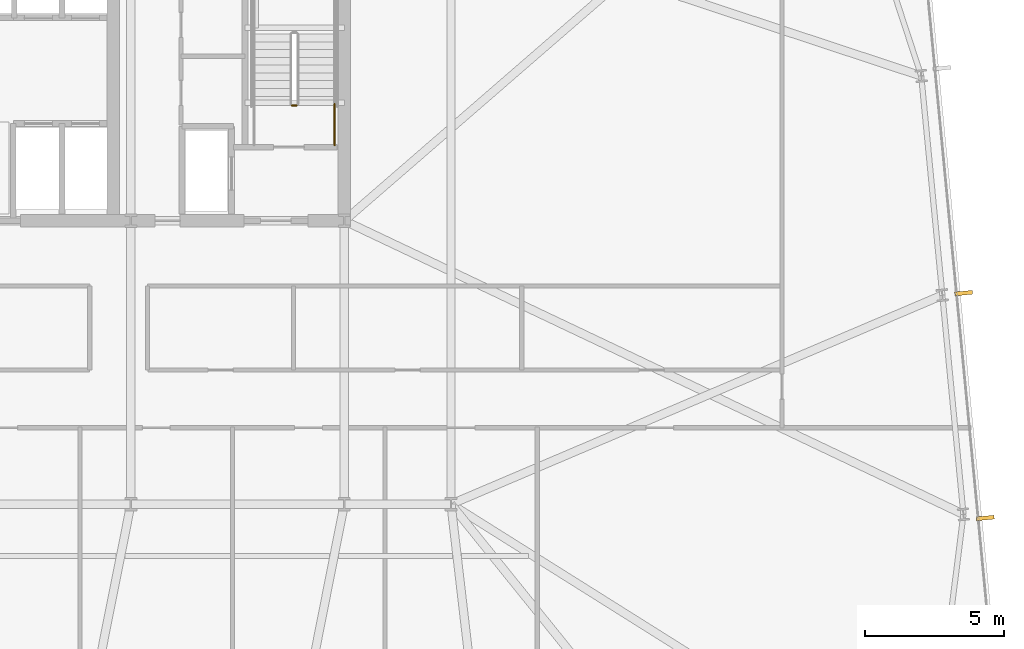
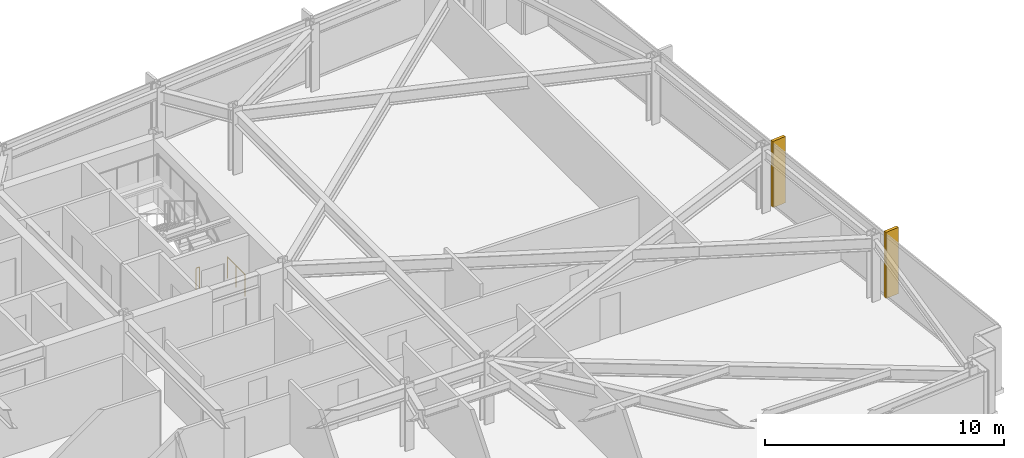
# One storey, part 30 of 32: 2 railings, 2 shading devices.
"""IFC4 building model written with IfcOpenShell, lengths in metres."""

from ifc_helpers import new_model, si_unit, direction, frame, origin, origin_2d, place, context, subcontext, project, spatial, rectangle, circle, extrude, material, layer, layer_set, type_object, element, save


model = new_model("IFC4")

# Units and contexts
model_context = context("Model", 3, precision=1e-05, world=origin(), true_north=direction((0.0, 1.0)))
body_context = subcontext(model_context, "Body", "Model", "MODEL_VIEW")
ifc_project = project(units=[si_unit("LENGTHUNIT", "METRE"), si_unit("AREAUNIT", "SQUARE_METRE"), si_unit("VOLUMEUNIT", "CUBIC_METRE"), si_unit("PLANEANGLEUNIT", "RADIAN"), si_unit("MASSUNIT", "GRAM", prefix="KILO")], contexts=[model_context])

# Site, building, storey
site_placement = place(None, origin())
site = spatial("IfcSite", under=ifc_project, at=site_placement, CompositionType="ELEMENT")
building_placement = place(site_placement, origin())
building = spatial("IfcBuilding", under=site, at=building_placement, Name="Yelkora Congress Tower", CompositionType="ELEMENT")
storey_placement = place(building_placement, frame((0.0, 0.0, 130.5)))
storey = spatial("IfcBuildingStorey", under=building, at=storey_placement, Name="L35", CompositionType="ELEMENT", Elevation=130.5)

# Railings
ifc_material_1 = material(Name="Painted galvanised steel stair well guard with vertical infill", Category="steel")
ifc_layer_1 = layer(ifc_material_1, 0.06005859375)
ifc_layer_set_1 = layer_set([ifc_layer_1], Name="Painted galvanised steel stair well guard with vertical infill")
railing_type = type_object("IfcRailingType", Name="RAIL-STAIR-GUARD-1120", PredefinedType="GUARDRAIL", material=ifc_layer_set_1)
railing_1_placement = place(storey_placement, frame((52.0400390625, 39.550048828125, 0.0)))
element("IfcRailing", 1, at=railing_1_placement, inside=storey, type_object=railing_type, Name="ST-02 L35 Stair Well Guardrail 7", PredefinedType="GUARDRAIL", context=body_context, shape_type="SweptSolid", body=[
    extrude(circle(Radius=0.02392578125, at=origin_2d()), frame((0.0, 0.0, 1.09619140625), z_axis=(-1.0, 0.0, 0.0), x_axis=(0.0, -1.0, 0.0)), (0.0, 0.0, 1.0), 0.16015625),
    extrude(circle(Radius=0.02099609375, at=origin_2d()), origin(), (0.0, 0.0, 1.0), 1.072021484375),
    extrude(circle(Radius=0.02099609375, at=origin_2d()), frame((-0.16015625, 0.0, 0.0)), (0.0, 0.0, 1.0), 1.072021484375),
])
railing_2_placement = place(storey_placement, frame((53.409912109375, 38.1201171875, 0.0)))
element("IfcRailing", 2, at=railing_2_placement, inside=storey, type_object=railing_type, Name="ST-02 L35 Stair Well Guardrail 8", PredefinedType="GUARDRAIL", context=body_context, shape_type="SweptSolid", body=[
    extrude(circle(Radius=0.02392578125, at=origin_2d()), frame((0.0, 0.0, 1.09619140625), z_axis=(0.0, 1.0, 0.0), x_axis=(-1.0, 0.0, 0.0)), (0.0, 0.0, 1.0), 1.47998046875),
    extrude(circle(Radius=0.02099609375, at=origin_2d()), origin(), (0.0, 0.0, 1.0), 1.072021484375),
    extrude(circle(Radius=0.02099609375, at=origin_2d()), frame((0.0, 0.739990234375, 0.0)), (0.0, 0.0, 1.0), 1.072021484375),
    extrude(circle(Radius=0.02099609375, at=origin_2d()), frame((0.0, 1.47998046875, 0.0)), (0.0, 0.0, 1.0), 1.072021484375),
])

# Shading devices
ifc_material_2 = material(Name="Champagne anodised aluminium", Category="aluminium")
ifc_layer_2 = layer(ifc_material_2, 3.39990234375)
ifc_layer_set_2 = layer_set([ifc_layer_2], Name="Champagne anodised aluminium")
shading_device_type = type_object("IfcShadingDeviceType", Name="SHD-FIN-ALU-640", PredefinedType="USERDEFINED", material=ifc_layer_set_2)
for number, where, z_axis, x_axis, name in (
    (3, (76.048095703125, 32.7958984375, -0.030029296875), (0.0, 0.0, 1.0), (0.09584575252, -0.995396198367, 0.0), "L35 Vertical Anodised Solar Fin 15-2"),
    (4, (76.827392578125, 24.703125, -0.030029296875), (0.0, 0.0, 1.0), (0.09584575252, -0.995396198367, 0.0), "L35 Vertical Anodised Solar Fin 15-3"),
):
    element("IfcShadingDevice", number, at=place(storey_placement, frame(where, z_axis=z_axis, x_axis=x_axis)), inside=storey, type_object=shading_device_type, Name=name, ObjectType="FIN", PredefinedType="USERDEFINED", context=body_context, shape_type="SweptSolid", body=[
        extrude(rectangle(XDim=0.139892578125, YDim=0.639892578125, at=origin_2d()), origin(), (0.0, 0.0, 1.0), 3.3798828125),
    ])

save(model, "model.ifc")
